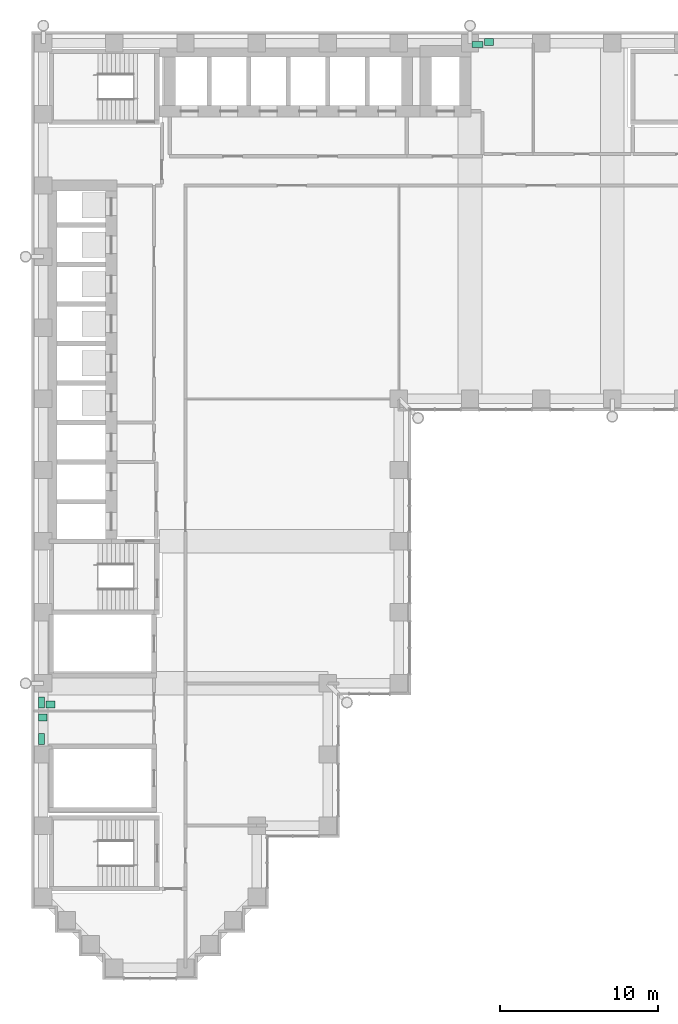
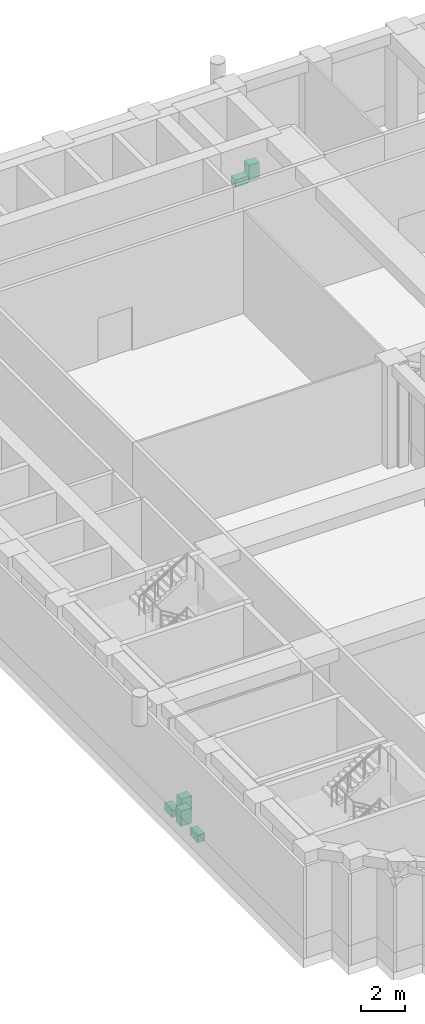
# One storey, part 21 of 22: 6 sanitary terminals.
"""IFC4 building model written with IfcOpenShell, lengths in metres."""

import ifcopenshell
import ifcopenshell.guid

model = None  # the IFC model being written
_history = None  # IfcOwnerHistory: only IFC2X3 demands one
_inside = {}  # id of a spatial element -> (the spatial element, [elements in it])
_under = {}  # id of a project, library or spatial element -> (it, [spatial elements below it])
_declared = {}  # id of a project -> (the project, [libraries it declares])
_typed = {}  # id of a type object -> (the type object, [elements of that type])
_made_of = {}  # id of a material, layer set ... -> (it, [elements and type objects made of it])


def new_model(schema):
    """Start an empty IFC model of exactly this schema.

    Asked for "IFC4X3", IfcOpenShell would pick the latest addendum, in which some entities
    have other attributes; the version numbers below select the first issue.
    IFC2X3 requires an IfcOwnerHistory on every rooted entity: one is made here for all.
    """
    global model, _history
    if schema == "IFC4X3":
        model = ifcopenshell.file(schema_version=(4, 3, 0, 0))
    else:
        model = ifcopenshell.file(schema=schema)
    _inside.clear()
    _under.clear()
    _declared.clear()
    _typed.clear()
    _made_of.clear()
    _history = None
    if model.schema == "IFC2X3":
        org = make("IfcOrganization", Name="unknown")
        user = make(
            "IfcPersonAndOrganization",
            ThePerson=make("IfcPerson", FamilyName="unknown"),
            TheOrganization=org,
        )
        app = make(
            "IfcApplication",
            ApplicationDeveloper=org,
            Version="unknown",
            ApplicationFullName="unknown",
            ApplicationIdentifier="unknown",
        )
        _history = make(
            "IfcOwnerHistory",
            OwningUser=user,
            OwningApplication=app,
            ChangeAction="ADDED",
            CreationDate=0,
        )
    return model


def make(cls, **values):
    """One entity of the class cls with the attributes given. An attribute that is None is left unset."""
    return model.create_entity(
        cls, **{name: value for name, value in values.items() if value is not None}
    )


def rooted(cls, **values):
    """An entity with a GlobalId (a new one), such as an element, a storey or a relation."""
    return make(cls, GlobalId=ifcopenshell.guid.new(), OwnerHistory=_history, **values)


def si_unit(unit_type, name, prefix=None):
    """IfcSIUnit, for example si_unit("LENGTHUNIT", "METRE", prefix="MILLI")."""
    return make("IfcSIUnit", UnitType=unit_type, Prefix=prefix, Name=name)


def assignment(units):
    """IfcUnitAssignment: the units of a project."""
    return None if units is None else make("IfcUnitAssignment", Units=units)


def point(xyz):
    """IfcCartesianPoint."""
    return None if xyz is None else make("IfcCartesianPoint", Coordinates=xyz)


def direction(xyz):
    """IfcDirection."""
    return None if xyz is None else make("IfcDirection", DirectionRatios=xyz)


def frame(location, z_axis=None, x_axis=None):
    """IfcAxis2Placement3D, a coordinate frame: its origin and axes. An axis left out is left unset."""
    return make(
        "IfcAxis2Placement3D",
        Location=point(location),
        Axis=direction(z_axis),
        RefDirection=direction(x_axis),
    )


def frame_2d(location, x_axis=None):
    """IfcAxis2Placement2D, a coordinate frame in the plane: its origin and x axis."""
    return make(
        "IfcAxis2Placement2D", Location=point(location), RefDirection=direction(x_axis)
    )


def origin():
    """The frame at (0, 0, 0) with its axes left unset."""
    return frame((0.0, 0.0, 0.0))


def origin_2d():
    """The frame at (0, 0) in the plane with its x axis left unset."""
    return frame_2d((0.0, 0.0))


def place(relative_to, where):
    """IfcLocalPlacement: puts the frame where relative to a parent placement (None: the world)."""
    return make(
        "IfcLocalPlacement", PlacementRelTo=relative_to, RelativePlacement=where
    )


def context(
    kind, dimensions, precision=None, world=None, true_north=None, identifier=None
):
    """IfcGeometricRepresentationContext, for example the 3D "Model" context."""
    return make(
        "IfcGeometricRepresentationContext",
        ContextIdentifier=identifier,
        ContextType=kind,
        CoordinateSpaceDimension=dimensions,
        Precision=precision,
        WorldCoordinateSystem=world,
        TrueNorth=true_north,
    )


def subcontext(parent, identifier, kind, view, scale=None):
    """IfcGeometricRepresentationSubContext, for example "Body" below "Model"."""
    return make(
        "IfcGeometricRepresentationSubContext",
        ContextIdentifier=identifier,
        ContextType=kind,
        ParentContext=parent,
        TargetScale=scale,
        TargetView=view,
    )


def project(units=None, contexts=None):
    """IfcProject with its units and contexts."""
    return rooted(
        "IfcProject",
        Name="project",
        RepresentationContexts=contexts,
        UnitsInContext=assignment(units),
    )


def spatial(cls, under=None, at=None, **own):
    """A site, building, storey or space (cls), placed at a placement, below another one or the project."""
    s = rooted(cls, ObjectPlacement=at, **own)
    if under is not None:
        _under.setdefault(under.id(), (under, []))[1].append(s)
    return s


def profile(cls, at=None, kind="AREA", **sizes):
    """A parametric profile (cls). Its sizes go by their IFC names, for example OverallWidth=200.0."""
    return make(cls, ProfileType=kind, Position=at, **sizes)


def rectangle(**sizes):
    """IfcRectangleProfileDef."""
    return profile("IfcRectangleProfileDef", **sizes)


def extrude(swept, where, along, depth):
    """IfcExtrudedAreaSolid: the profile swept, set in the frame where, extruded along a direction by depth."""
    return make(
        "IfcExtrudedAreaSolid",
        SweptArea=swept,
        Position=where,
        ExtrudedDirection=direction(along),
        Depth=depth,
    )


def shape(context_of_items, identifier, shape_type, items):
    """IfcShapeRepresentation: the items that make up one representation, for example the "Body"."""
    return make(
        "IfcShapeRepresentation",
        ContextOfItems=context_of_items,
        RepresentationIdentifier=identifier,
        RepresentationType=shape_type,
        Items=items,
    )


def material(Name=None, Category=None):
    """IfcMaterial."""
    return make("IfcMaterial", Name=Name, Category=Category)


def made_of(thing, what):
    """Note that an element or type object is made of a material, layer set ...; save() writes the relation."""
    if what is not None:
        _made_of.setdefault(what.id(), (what, []))[1].append(thing)
    return thing


def type_object(cls, material=None, **own):
    """A type object (cls), such as IfcWallType, which elements share."""
    return made_of(rooted(cls, **own), material)


def element(
    cls,
    number,
    at=None,
    inside=None,
    cuts=None,
    type_object=None,
    material=None,
    context=None,
    identifier="Body",
    shape_type=None,
    held_by="IfcProductDefinitionShape",
    body=None,
    shapes=None,
    **own,
):
    """One element of the class cls, such as IfcWall. Its Tag is "e" and its number.

    at: its placement. inside: the storey or other place that contains it. cuts: it is an
    opening in that element (IfcRelVoidsElement). A single representation is given by context,
    identifier, shape_type and body (its items); several are given by shapes. held_by: the class
    of the entity that holds the representations. save() writes the other relations.
    """
    e = rooted(cls, Tag="e%d" % number, ObjectPlacement=at, **own)
    if body is not None:
        shapes = [shape(context, identifier, shape_type, body)]
    if shapes is not None:
        e.Representation = make(held_by, Representations=shapes)
    if inside is not None:
        _inside.setdefault(inside.id(), (inside, []))[1].append(e)
    if cuts is not None:
        rooted(
            "IfcRelVoidsElement", RelatingBuildingElement=cuts, RelatedOpeningElement=e
        )
    if type_object is not None:
        _typed.setdefault(type_object.id(), (type_object, []))[1].append(e)
    return made_of(e, material)


def aggregate(whole, parts):
    """IfcRelAggregates: a whole, such as a stair, and the parts it consists of."""
    return rooted("IfcRelAggregates", RelatingObject=whole, RelatedObjects=parts)


def save(model, path):
    """Write the relations noted so far, then the file.

    IfcRelAggregates (storeys below a building ...), IfcRelContainedInSpatialStructure (elements
    in a storey), IfcRelDefinesByType, IfcRelAssociatesMaterial and IfcRelDeclares: one each for
    every whole, place, type object, material and project.
    """
    for whole, parts in _under.values():
        aggregate(whole, parts)
    for where, things in _inside.values():
        rooted(
            "IfcRelContainedInSpatialStructure",
            RelatedElements=things,
            RelatingStructure=where,
        )
    for kind, things in _typed.values():
        rooted("IfcRelDefinesByType", RelatedObjects=things, RelatingType=kind)
    for what, things in _made_of.values():
        rooted("IfcRelAssociatesMaterial", RelatedObjects=things, RelatingMaterial=what)
    for by, libraries in _declared.values():
        rooted("IfcRelDeclares", RelatingContext=by, RelatedDefinitions=libraries)
    model.write(path)


model = new_model("IFC4")

# Units and contexts
model_context = context("Model", 3, precision=1e-05, world=origin(), true_north=direction((0.0, 1.0)))
body_context = subcontext(model_context, "Body", "Model", "MODEL_VIEW")
ifc_project = project(units=[si_unit("LENGTHUNIT", "METRE"), si_unit("AREAUNIT", "SQUARE_METRE"), si_unit("VOLUMEUNIT", "CUBIC_METRE"), si_unit("PLANEANGLEUNIT", "RADIAN"), si_unit("MASSUNIT", "GRAM", prefix="KILO")], contexts=[model_context])

# Site, building, storey
site_placement = place(None, origin())
site = spatial("IfcSite", under=ifc_project, at=site_placement, CompositionType="ELEMENT")
building_placement = place(site_placement, origin())
building = spatial("IfcBuilding", under=site, at=building_placement, Name="Firuza Court", CompositionType="ELEMENT")
storey_placement = place(building_placement, frame((0.0, 0.0, 113.60009765625)))
storey = spatial("IfcBuildingStorey", under=building, at=storey_placement, Name="L28", CompositionType="ELEMENT", Elevation=113.60009765625)

# Sanitary terminals
ifc_material_1 = material(Name="Vitreous china", Category="ceramic")
sanitary_terminal_type_1 = type_object("IfcSanitaryTerminalType", Name="Fixture WC pan", PredefinedType="TOILETPAN", material=ifc_material_1)
for number, where, z_axis, x_axis, name in (
    (1, (-0.1201171875, 14.47998046875, 0.0), (0.0, 0.0, 1.0), (1.0, 0.0, 0.0), "WC pan"),
    (2, (-0.1201171875, 16.780029296875, 0.0), (0.0, 0.0, 1.0), (1.0, 0.0, 0.0), "WC pan"),
):
    element("IfcSanitaryTerminal", number, at=place(storey_placement, frame(where, z_axis=z_axis, x_axis=x_axis)), inside=storey, type_object=sanitary_terminal_type_1, Name=name, PredefinedType="TOILETPAN", context=body_context, shape_type="SweptSolid", body=[
        extrude(rectangle(XDim=0.39990234375, YDim=0.699951171875, at=origin_2d()), origin(), (0.0, 0.0, 1.0), 0.39990234375),
    ])
sanitary_terminal_placement = place(storey_placement, frame((27.47998046875, 58.429931640625, 0.0), z_axis=(0.0, 0.0, 1.0), x_axis=(1.0, 0.0, 0.0)))
element("IfcSanitaryTerminal", 3, at=sanitary_terminal_placement, inside=storey, type_object=sanitary_terminal_type_1, Name="WC pan", PredefinedType="TOILETPAN", context=body_context, shape_type="SweptSolid", body=[
    extrude(rectangle(XDim=0.699951171875, YDim=0.39990234375, at=origin_2d()), origin(), (0.0, 0.0, 1.0), 0.39990234375),
])
ifc_material_2 = material(Name="Vitreous china", Category="ceramic")
sanitary_terminal_type_2 = type_object("IfcSanitaryTerminalType", Name="Fixture Washbasin", PredefinedType="WASHHANDBASIN", material=ifc_material_2)
for number, where, z_axis, x_axis, name in (
    (4, (-0.044921875, 15.844970703125, -0.000244140625), (0.0, 0.0, 1.0), (1.0, 0.0, 0.0), "Washbasin"),
    (5, (0.455078125, 16.655029296875, -0.000244140625), (0.0, 0.0, 1.0), (1.0, 0.0, 0.0), "Washbasin"),
    (6, (28.205078125, 58.594970703125, -0.000244140625), (0.0, 0.0, 1.0), (1.0, 0.0, 0.0), "Washbasin"),
):
    element("IfcSanitaryTerminal", number, at=place(storey_placement, frame(where, z_axis=z_axis, x_axis=x_axis)), inside=storey, type_object=sanitary_terminal_type_2, Name=name, PredefinedType="WASHHANDBASIN", context=body_context, shape_type="SweptSolid", body=[
        extrude(rectangle(XDim=0.550048828125, YDim=0.449951171875, at=origin_2d()), origin(), (0.0, 0.0, 1.0), 0.85009765625),
    ])

save(model, "model.ifc")
